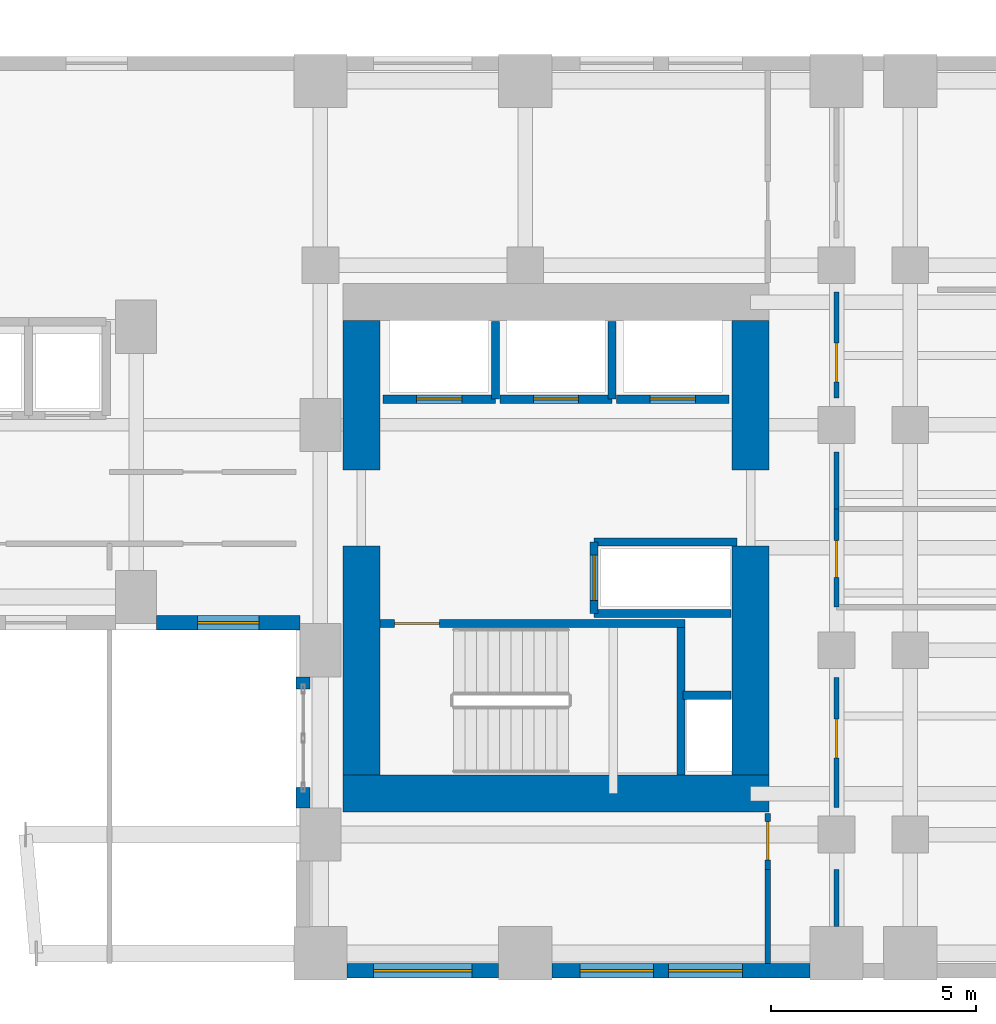
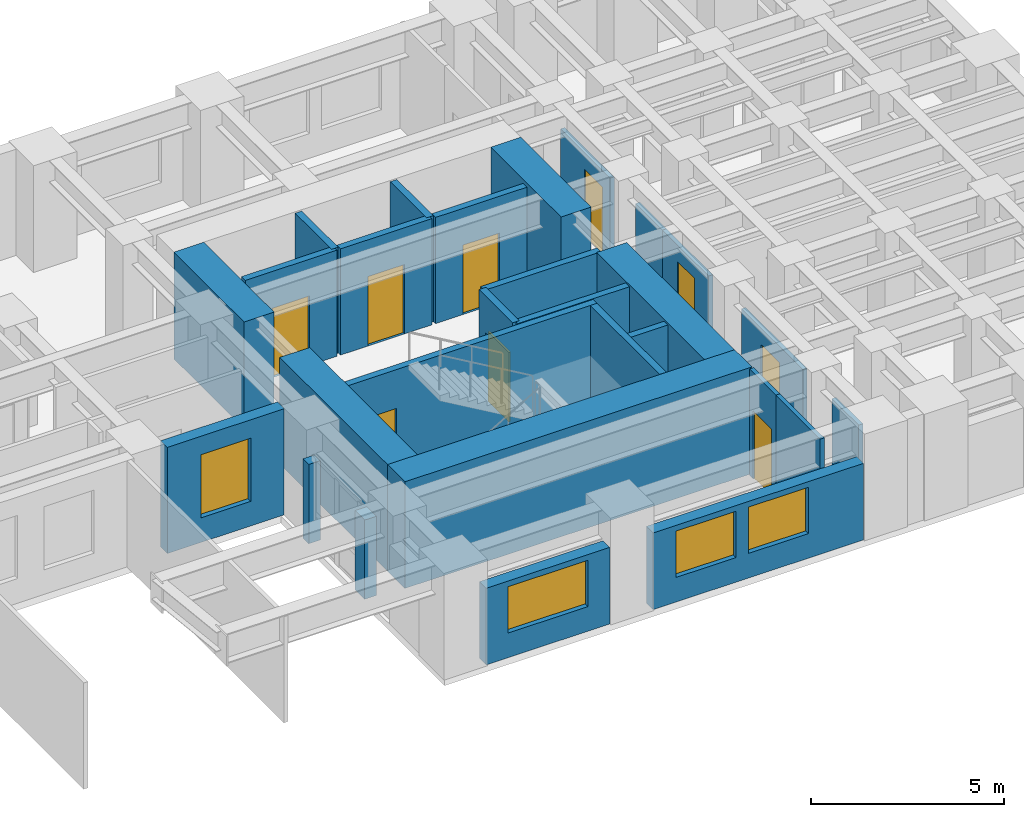
# One storey, part 10 of 14: 28 walls, 9 doors, 4 windows, 13 openings.
"""IFC4 building model written with IfcOpenShell, lengths in metres."""

from ifc_helpers import new_model, si_unit, direction, frame, frame_2d, origin, place, context, subcontext, project, spatial, rectangle, extrude, source, transform, mapped, material, layer, layer_set, type_object, element, fill, save


model = new_model("IFC4")

# Units and contexts
model_context = context("Model", 3, precision=1e-05, world=origin(), true_north=direction((0.0, 1.0)))
body_context = subcontext(model_context, "Body", "Model", "MODEL_VIEW")
ifc_project = project(units=[si_unit("LENGTHUNIT", "METRE"), si_unit("AREAUNIT", "SQUARE_METRE"), si_unit("VOLUMEUNIT", "CUBIC_METRE"), si_unit("PLANEANGLEUNIT", "RADIAN"), si_unit("MASSUNIT", "GRAM", prefix="KILO")], contexts=[model_context])

# Site, building, storey
site_placement = place(None, origin())
site = spatial("IfcSite", under=ifc_project, at=site_placement, CompositionType="ELEMENT")
building_placement = place(site_placement, origin())
building = spatial("IfcBuilding", under=site, at=building_placement, Name="Kharzan Plaza Tower", CompositionType="ELEMENT")
storey_placement = place(building_placement, frame((0.0, 0.0, 29.699951171875)))
storey = spatial("IfcBuildingStorey", under=building, at=storey_placement, Name="L07", CompositionType="ELEMENT", Elevation=29.699951171875)

# Wall, opening, window
ifc_material_1 = material(Name="Concrete C40/50", Category="concrete")
ifc_layer_1 = layer(ifc_material_1, 0.35009765625)
ifc_layer_set_1 = layer_set([ifc_layer_1], Name="Concrete C40/50")
wall_type_1 = type_object("IfcWallType", Name="WL-EXT-MAS-Z1", PredefinedType="SOLIDWALL", material=ifc_layer_set_1)
wall_1_placement = place(storey_placement, frame((30.998046875, 8.675048828125, 0.0), z_axis=(0.0, 0.0, 1.0), x_axis=(1.0, 0.0, 0.0)))
wall_1 = element("IfcWall", 1, at=wall_1_placement, inside=storey, type_object=wall_type_1, Name="L07 Masonry-Frame Exterior Wall 30", PredefinedType="SOLIDWALL", context=body_context, shape_type="SweptSolid", body=[
    extrude(rectangle(XDim=3.50390625, YDim=0.35009765625, at=frame_2d((1.751953125, 0.0))), origin(), (0.0, 0.0, 1.0), 3.364990234375),
])
opening_1_placement = place(wall_1_placement, frame((1.001953125, 0.0, 0.780029296875)))
opening_1 = element("IfcOpeningElement", 2, at=opening_1_placement, cuts=wall_1, Name="Opening W5", PredefinedType="OPENING", context=body_context, shape_type="SweptSolid", body=[
    extrude(rectangle(XDim=1.5, YDim=2.0, at=frame_2d((0.75, 1.0))), frame((0.0, 0.18505859375, 0.0), z_axis=(0.0, -1.0, 0.0), x_axis=(1.0, 0.0, 0.0)), (0.0, 0.0, 1.0), 0.3701171875),
])
ifc_material_2 = material(Name="Low-E Double Glazing", Category="glass")
window_type_1 = type_object("IfcWindowType", Name="WN-SLT-1500x2000", PartitioningType="SINGLE_PANEL", PredefinedType="WINDOW", material=ifc_material_2)
shared_shape_1 = source(origin(), body_context, "Body", "SweptSolid", [
    extrude(rectangle(XDim=1.5, YDim=2.0, at=frame_2d((0.75, 1.0))), frame((0.0, 0.030029296875, 0.0), z_axis=(0.0, -1.0, 0.0), x_axis=(1.0, 0.0, 0.0)), (0.0, 0.0, 1.0), 0.06005859375),
])
window_1_placement = place(opening_1_placement, origin())
window_1 = element("IfcWindow", 3, at=window_1_placement, inside=storey, type_object=window_type_1, Name="L07 Recessed Solar-Control Window 30-1", OverallHeight=2.0, OverallWidth=1.5, PartitioningType="SINGLE_PANEL", PredefinedType="WINDOW", context=body_context, shape_type="MappedRepresentation", body=[
    mapped(shared_shape_1, transform((0.0, 0.0, 0.0), x_axis=(1.0, 0.0, 0.0), y_axis=(0.0, 1.0, 0.0), z_axis=(0.0, 0.0, 1.0))),
])
fill(opening_1, window_1)

wall_2_placement = place(storey_placement, frame((35.64794921875, 0.175048828125, 0.0), z_axis=(0.0, 0.0, 1.0), x_axis=(1.0, 0.0, 0.0)))
wall_2 = element("IfcWall", 4, at=wall_2_placement, inside=storey, type_object=wall_type_1, Name="L07 Masonry-Frame Exterior Wall 34", PredefinedType="SOLIDWALL", context=body_context, shape_type="SweptSolid", body=[
    extrude(rectangle(XDim=3.7041015625, YDim=0.35009765625, at=frame_2d((1.85205078125, 0.0))), origin(), (0.0, 0.0, 1.0), 2.427978515625),
])
opening_2_placement = place(wall_2_placement, frame((0.652099609375, 0.0, 0.780029296875)))
opening_2 = element("IfcOpeningElement", 5, at=opening_2_placement, cuts=wall_2, Name="Opening W2", PredefinedType="OPENING", context=body_context, shape_type="SweptSolid", body=[
    extrude(rectangle(XDim=2.39990234375, YDim=1.468017578125, at=frame_2d((1.199951171875, 0.73388671875))), frame((0.0, 0.18505859375, 0.0), z_axis=(0.0, -1.0, 0.0), x_axis=(1.0, 0.0, 0.0)), (0.0, 0.0, 1.0), 0.3701171875),
])
window_type_2 = type_object("IfcWindowType", Name="WN-REC-2400x2100", PartitioningType="SINGLE_PANEL", PredefinedType="WINDOW", material=ifc_material_2)
shared_shape_2 = source(origin(), body_context, "Body", "SweptSolid", [
    extrude(rectangle(XDim=2.39990234375, YDim=1.468017578125, at=frame_2d((1.199951171875, 0.73388671875))), frame((0.0, 0.030029296875, 0.0), z_axis=(0.0, -1.0, 0.0), x_axis=(1.0, 0.0, 0.0)), (0.0, 0.0, 1.0), 0.06005859375),
])
window_2_placement = place(opening_2_placement, origin())
window_2 = element("IfcWindow", 6, at=window_2_placement, inside=storey, type_object=window_type_2, Name="L07 Wide Recessed Solar-Control Window 34-1", OverallHeight=1.468017578125, OverallWidth=2.39990234375, PartitioningType="SINGLE_PANEL", PredefinedType="WINDOW", context=body_context, shape_type="MappedRepresentation", body=[
    mapped(shared_shape_2, transform((0.0, 0.0, 0.0), x_axis=(1.0, 0.0, 0.0), y_axis=(0.0, 1.0, 0.0), z_axis=(0.0, 0.0, 1.0))),
])
fill(opening_2, window_2)

# Wall, openings, windows
wall_3_placement = place(storey_placement, frame((40.64794921875, 0.175048828125, 0.0), z_axis=(0.0, 0.0, 1.0), x_axis=(1.0, 0.0, 0.0)))
wall_3 = element("IfcWall", 7, at=wall_3_placement, inside=storey, type_object=wall_type_1, Name="L07 Masonry-Frame Exterior Wall 35", PredefinedType="SOLIDWALL", context=body_context, shape_type="SweptSolid", body=[
    extrude(rectangle(XDim=6.303955078125, YDim=0.35009765625, at=frame_2d((3.15185546875, 0.0))), origin(), (0.0, 0.0, 1.0), 2.427978515625),
])
opening_3_placement = place(wall_3_placement, frame((0.687255859375, 0.0, 0.780029296875)))
opening_3 = element("IfcOpeningElement", 8, at=opening_3_placement, cuts=wall_3, Name="Opening W1", PredefinedType="OPENING", context=body_context, shape_type="SweptSolid", body=[
    extrude(rectangle(XDim=1.800048828125, YDim=1.468017578125, at=frame_2d((0.89990234375, 0.73388671875))), frame((0.0, 0.18505859375, 0.0), z_axis=(0.0, -1.0, 0.0), x_axis=(1.0, 0.0, 0.0)), (0.0, 0.0, 1.0), 0.3701171875),
])
opening_4_placement = place(wall_3_placement, frame((2.854736328125, 0.0, 0.780029296875)))
opening_4 = element("IfcOpeningElement", 9, at=opening_4_placement, cuts=wall_3, Name="Opening W1", PredefinedType="OPENING", context=body_context, shape_type="SweptSolid", body=[
    extrude(rectangle(XDim=1.800048828125, YDim=1.468017578125, at=frame_2d((0.89990234375, 0.73388671875))), frame((0.0, 0.18505859375, 0.0), z_axis=(0.0, -1.0, 0.0), x_axis=(1.0, 0.0, 0.0)), (0.0, 0.0, 1.0), 0.3701171875),
])
window_type_3 = type_object("IfcWindowType", Name="WN-REC-1800x2100", PartitioningType="SINGLE_PANEL", PredefinedType="WINDOW", material=ifc_material_2)
shared_shape_3 = source(origin(), body_context, "Body", "SweptSolid", [
    extrude(rectangle(XDim=1.800048828125, YDim=1.468017578125, at=frame_2d((0.89990234375, 0.73388671875))), frame((0.0, 0.030029296875, 0.0), z_axis=(0.0, -1.0, 0.0), x_axis=(1.0, 0.0, 0.0)), (0.0, 0.0, 1.0), 0.06005859375),
])
window_3_placement = place(opening_3_placement, origin())
window_3 = element("IfcWindow", 10, at=window_3_placement, inside=storey, type_object=window_type_3, Name="L07 Recessed Solar-Control Window 35-1", OverallHeight=1.468017578125, OverallWidth=1.800048828125, PartitioningType="SINGLE_PANEL", PredefinedType="WINDOW", context=body_context, shape_type="MappedRepresentation", body=[
    mapped(shared_shape_3, transform((0.0, 0.0, 0.0), x_axis=(1.0, 0.0, 0.0), y_axis=(0.0, 1.0, 0.0), z_axis=(0.0, 0.0, 1.0))),
])
fill(opening_3, window_3)
window_4_placement = place(opening_4_placement, origin())
window_4 = element("IfcWindow", 11, at=window_4_placement, inside=storey, type_object=window_type_3, Name="L07 Recessed Solar-Control Window 35-2", OverallHeight=1.468017578125, OverallWidth=1.800048828125, PartitioningType="SINGLE_PANEL", PredefinedType="WINDOW", context=body_context, shape_type="MappedRepresentation", body=[
    mapped(shared_shape_3, transform((0.0, 0.0, 0.0), x_axis=(1.0, 0.0, 0.0), y_axis=(0.0, 1.0, 0.0), z_axis=(0.0, 0.0, 1.0))),
])
fill(opening_4, window_4)

# Wall, opening, door
ifc_material_3 = material(Name="Fire-Rated Gypsum Board Partition", Category="gypsum")
ifc_layer_2 = layer(ifc_material_3, 0.125)
ifc_layer_set_2 = layer_set([ifc_layer_2], Name="Fire-Rated Gypsum Board Partition")
wall_type_2 = type_object("IfcWallType", Name="WL-INT-PART-125", PredefinedType="PARTITIONING", material=ifc_layer_set_2)
wall_4_placement = place(storey_placement, frame((47.60009765625, 4.159912109375, 0.0), z_axis=(0.0, 0.0, 1.0), x_axis=(0.0, 1.0, 0.0)))
wall_4 = element("IfcWall", 12, at=wall_4_placement, inside=storey, type_object=wall_type_2, Name="L07 Interior Partition SH-B1W0", PredefinedType="PARTITIONING", context=body_context, shape_type="SweptSolid", body=[
    extrude(rectangle(XDim=3.18017578125, YDim=0.125, at=frame_2d((1.590087890625, 0.0))), origin(), (0.0, 0.0, 1.0), 2.670166015625),
])
opening_5_placement = place(wall_4_placement, frame((1.215087890625, 0.0, 0.0)))
opening_5 = element("IfcOpeningElement", 13, at=opening_5_placement, cuts=wall_4, Name="Opening OD1", PredefinedType="OPENING", context=body_context, shape_type="SweptSolid", body=[
    extrude(rectangle(XDim=0.949951171875, YDim=2.14990234375, at=frame_2d((0.47509765625, 1.074951171875))), frame((0.0, 0.072509765625, 0.0), z_axis=(0.0, -1.0, 0.0), x_axis=(1.0, 0.0, 0.0)), (0.0, 0.0, 1.0), 0.14501953125),
])
ifc_material_4 = material(Name="Acoustic Solid-Core Stained Oak", Category="timber")
door_type_1 = type_object("IfcDoorType", Name="DR-OFF-SINGLE", OperationType="NOTDEFINED", PredefinedType="DOOR", material=ifc_material_4)
shared_shape_4 = source(origin(), body_context, "Body", "SweptSolid", [
    extrude(rectangle(XDim=0.949951171875, YDim=2.14990234375, at=frame_2d((0.47509765625, 1.074951171875))), frame((0.0, 0.02490234375, 0.0), z_axis=(0.0, -1.0, 0.0), x_axis=(1.0, 0.0, 0.0)), (0.0, 0.0, 1.0), 0.050048828125),
])
door_1_placement = place(opening_5_placement, origin())
door_1 = element("IfcDoor", 14, at=door_1_placement, inside=storey, type_object=door_type_1, Name="L07 Wing B South Studio Door", OperationType="SINGLE_SWING_LEFT", OverallHeight=2.14990234375, OverallWidth=0.949951171875, PredefinedType="DOOR", context=body_context, shape_type="MappedRepresentation", body=[
    mapped(shared_shape_4, transform((0.0, 0.0, 0.0), x_axis=(1.0, 0.0, 0.0), y_axis=(0.0, 1.0, 0.0), z_axis=(0.0, 0.0, 1.0))),
])
fill(opening_5, door_1)

wall_5_placement = place(storey_placement, frame((47.60009765625, 14.159912109375, 0.0), z_axis=(0.0, 0.0, 1.0), x_axis=(0.0, 1.0, 0.0)))
wall_5 = element("IfcWall", 15, at=wall_5_placement, inside=storey, type_object=wall_type_2, Name="L07 Interior Partition SH-B1W1-S2", PredefinedType="PARTITIONING", context=body_context, shape_type="SweptSolid", body=[
    extrude(rectangle(XDim=2.580078125, YDim=0.125, at=frame_2d((1.2900390625, 0.0))), origin(), (0.0, 0.0, 1.0), 2.670166015625),
])
opening_6_placement = place(wall_5_placement, frame((0.3916015625, 0.0, 0.0)))
opening_6 = element("IfcOpeningElement", 16, at=opening_6_placement, cuts=wall_5, Name="Opening OD1", PredefinedType="OPENING", context=body_context, shape_type="SweptSolid", body=[
    extrude(rectangle(XDim=0.949951171875, YDim=2.14990234375, at=frame_2d((0.47509765625, 1.074951171875))), frame((0.0, 0.072509765625, 0.0), z_axis=(0.0, -1.0, 0.0), x_axis=(1.0, 0.0, 0.0)), (0.0, 0.0, 1.0), 0.14501953125),
])
door_2_placement = place(opening_6_placement, origin())
door_2 = element("IfcDoor", 17, at=door_2_placement, inside=storey, type_object=door_type_1, Name="L07 Wing B Mid Office Door", OperationType="SINGLE_SWING_RIGHT", OverallHeight=2.14990234375, OverallWidth=0.949951171875, PredefinedType="DOOR", context=body_context, shape_type="MappedRepresentation", body=[
    mapped(shared_shape_4, transform((0.0, 0.0, 0.0), x_axis=(1.0, 0.0, 0.0), y_axis=(0.0, 1.0, 0.0), z_axis=(0.0, 0.0, 1.0))),
])
fill(opening_6, door_2)

wall_6_placement = place(storey_placement, frame((47.60009765625, 9.050048828125, 0.0), z_axis=(0.0, 0.0, 1.0), x_axis=(0.0, 1.0, 0.0)))
wall_6 = element("IfcWall", 18, at=wall_6_placement, inside=storey, type_object=wall_type_2, Name="L07 Interior Partition SH-B1WC", PredefinedType="PARTITIONING", context=body_context, shape_type="SweptSolid", body=[
    extrude(rectangle(XDim=2.39990234375, YDim=0.125, at=frame_2d((1.199951171875, 0.0))), origin(), (0.0, 0.0, 1.0), 2.670166015625),
])
opening_7_placement = place(wall_6_placement, frame((0.72509765625, 0.0, 0.0)))
opening_7 = element("IfcOpeningElement", 19, at=opening_7_placement, cuts=wall_6, Name="Opening WD1", PredefinedType="OPENING", context=body_context, shape_type="SweptSolid", body=[
    extrude(rectangle(XDim=0.89990234375, YDim=2.14990234375, at=frame_2d((0.449951171875, 1.074951171875))), frame((0.0, 0.072509765625, 0.0), z_axis=(0.0, -1.0, 0.0), x_axis=(1.0, 0.0, 0.0)), (0.0, 0.0, 1.0), 0.14501953125),
])
ifc_material_5 = material(Name="Moisture-Resistant Fire-Rated Laminate", Category="timber")
door_type_2 = type_object("IfcDoorType", Name="DR-WC-900", OperationType="NOTDEFINED", PredefinedType="DOOR", material=ifc_material_5)
shared_shape_5 = source(origin(), body_context, "Body", "SweptSolid", [
    extrude(rectangle(XDim=0.89990234375, YDim=2.14990234375, at=frame_2d((0.449951171875, 1.074951171875))), frame((0.0, 0.02490234375, 0.0), z_axis=(0.0, -1.0, 0.0), x_axis=(1.0, 0.0, 0.0)), (0.0, 0.0, 1.0), 0.050048828125),
])
door_3_placement = place(opening_7_placement, origin())
door_3 = element("IfcDoor", 20, at=door_3_placement, inside=storey, type_object=door_type_2, Name="L07 Wing B Washroom Door", OperationType="SINGLE_SWING_LEFT", OverallHeight=2.14990234375, OverallWidth=0.89990234375, PredefinedType="DOOR", context=body_context, shape_type="MappedRepresentation", body=[
    mapped(shared_shape_5, transform((0.0, 0.0, 0.0), x_axis=(1.0, 0.0, 0.0), y_axis=(0.0, 1.0, 0.0), z_axis=(0.0, 0.0, 1.0))),
])
fill(opening_7, door_3)

wall_7_placement = place(storey_placement, frame((45.919921875, 2.64990234375, 0.0), z_axis=(0.0, 0.0, 1.0), x_axis=(0.0, 1.0, 0.0)))
wall_7 = element("IfcWall", 21, at=wall_7_placement, inside=storey, type_object=wall_type_2, Name="L07 Interior Partition SH-RBSE", PredefinedType="PARTITIONING", context=body_context, shape_type="SweptSolid", body=[
    extrude(rectangle(XDim=1.3701171875, YDim=0.125, at=frame_2d((0.68505859375, 0.0))), origin(), (0.0, 0.0, 1.0), 3.364990234375),
])
opening_8_placement = place(wall_7_placement, frame((0.22509765625, 0.0, 0.0)))
opening_8 = element("IfcOpeningElement", 22, at=opening_8_placement, cuts=wall_7, Name="Opening OD1", PredefinedType="OPENING", context=body_context, shape_type="SweptSolid", body=[
    extrude(rectangle(XDim=0.949951171875, YDim=2.14990234375, at=frame_2d((0.47509765625, 1.074951171875))), frame((0.0, 0.072509765625, 0.0), z_axis=(0.0, -1.0, 0.0), x_axis=(1.0, 0.0, 0.0)), (0.0, 0.0, 1.0), 0.14501953125),
])
door_4_placement = place(opening_8_placement, origin())
door_4 = element("IfcDoor", 23, at=door_4_placement, inside=storey, type_object=door_type_1, Name="L07 South-East Corner Office Door", OperationType="SINGLE_SWING_RIGHT", OverallHeight=2.14990234375, OverallWidth=0.949951171875, PredefinedType="DOOR", context=body_context, shape_type="MappedRepresentation", body=[
    mapped(shared_shape_4, transform((0.0, 0.0, 0.0), x_axis=(1.0, 0.0, 0.0), y_axis=(0.0, 1.0, 0.0), z_axis=(0.0, 0.0, 1.0))),
])
fill(opening_8, door_4)

ifc_layer_3 = layer(ifc_material_1, 0.199951171875)
ifc_layer_set_3 = layer_set([ifc_layer_3], Name="Concrete C40/50")
wall_type_3 = type_object("IfcWallType", Name="WL-INT-SHAFT-200", PredefinedType="PARTITIONING", material=ifc_layer_set_3)
wall_8_placement = place(storey_placement, frame((36.530029296875, 14.1298828125, 0.0), z_axis=(0.0, 0.0, 1.0), x_axis=(1.0, 0.0, 0.0)))
wall_8 = element("IfcWall", 24, at=wall_8_placement, inside=storey, type_object=wall_type_3, Name="L07 Interior Partition SHF-PL-L1-S", PredefinedType="PARTITIONING", context=body_context, shape_type="SweptSolid", body=[
    extrude(rectangle(XDim=2.739990234375, YDim=0.199951171875, at=frame_2d((1.3701171875, 0.0))), origin(), (0.0, 0.0, 1.0), 3.364990234375),
])
opening_9_placement = place(wall_8_placement, frame((0.820068359375, 0.0, 0.0)))
opening_9 = element("IfcOpeningElement", 25, at=opening_9_placement, cuts=wall_8, Name="Opening LD", PredefinedType="OPENING", context=body_context, shape_type="SweptSolid", body=[
    extrude(rectangle(XDim=1.10009765625, YDim=2.199951171875, at=frame_2d((0.550048828125, 1.10009765625))), frame((0.0, 0.10986328125, 0.0), z_axis=(0.0, -1.0, 0.0), x_axis=(1.0, 0.0, 0.0)), (0.0, 0.0, 1.0), 0.219970703125),
])
ifc_material_6 = material(Name="Brushed Stainless Steel", Category="steel")
door_type_3 = type_object("IfcDoorType", Name="DR-LIFT-SLIDE", OperationType="SLIDING_TO_LEFT", PredefinedType="DOOR", material=ifc_material_6)
shared_shape_6 = source(origin(), body_context, "Body", "SweptSolid", [
    extrude(rectangle(XDim=1.10009765625, YDim=2.199951171875, at=frame_2d((0.550048828125, 1.10009765625))), frame((0.0, 0.02490234375, 0.0), z_axis=(0.0, -1.0, 0.0), x_axis=(1.0, 0.0, 0.0)), (0.0, 0.0, 1.0), 0.050048828125),
])
door_5_placement = place(opening_9_placement, origin())
door_5 = element("IfcDoor", 26, at=door_5_placement, inside=storey, type_object=door_type_3, Name="L07 Low-Rise Passenger Lift PL-L1 Sliding Landing Door", OperationType="SLIDING_TO_LEFT", OverallHeight=2.199951171875, OverallWidth=1.10009765625, PredefinedType="DOOR", context=body_context, shape_type="MappedRepresentation", body=[
    mapped(shared_shape_6, transform((0.0, 0.0, 0.0), x_axis=(1.0, 0.0, 0.0), y_axis=(0.0, 1.0, 0.0), z_axis=(0.0, 0.0, 1.0))),
])
fill(opening_9, door_5)

wall_9_placement = place(storey_placement, frame((39.3798828125, 14.1298828125, 0.0), z_axis=(0.0, 0.0, 1.0), x_axis=(1.0, 0.0, 0.0)))
wall_9 = element("IfcWall", 27, at=wall_9_placement, inside=storey, type_object=wall_type_3, Name="L07 Interior Partition SHF-PL-L2-S", PredefinedType="PARTITIONING", context=body_context, shape_type="SweptSolid", body=[
    extrude(rectangle(XDim=2.740234375, YDim=0.199951171875, at=frame_2d((1.3701171875, 0.0))), origin(), (0.0, 0.0, 1.0), 3.364990234375),
])
opening_10_placement = place(wall_9_placement, frame((0.820068359375, 0.0, 0.0)))
opening_10 = element("IfcOpeningElement", 28, at=opening_10_placement, cuts=wall_9, Name="Opening LD", PredefinedType="OPENING", context=body_context, shape_type="SweptSolid", body=[
    extrude(rectangle(XDim=1.10009765625, YDim=2.199951171875, at=frame_2d((0.550048828125, 1.10009765625))), frame((0.0, 0.10986328125, 0.0), z_axis=(0.0, -1.0, 0.0), x_axis=(1.0, 0.0, 0.0)), (0.0, 0.0, 1.0), 0.219970703125),
])
door_6_placement = place(opening_10_placement, origin())
door_6 = element("IfcDoor", 29, at=door_6_placement, inside=storey, type_object=door_type_3, Name="L07 Low-Rise Passenger Lift PL-L2 Sliding Landing Door", OperationType="SLIDING_TO_LEFT", OverallHeight=2.199951171875, OverallWidth=1.10009765625, PredefinedType="DOOR", context=body_context, shape_type="MappedRepresentation", body=[
    mapped(shared_shape_6, transform((0.0, 0.0, 0.0), x_axis=(1.0, 0.0, 0.0), y_axis=(0.0, 1.0, 0.0), z_axis=(0.0, 0.0, 1.0))),
])
fill(opening_10, door_6)

wall_10_placement = place(storey_placement, frame((42.22998046875, 14.1298828125, 0.0), z_axis=(0.0, 0.0, 1.0), x_axis=(1.0, 0.0, 0.0)))
wall_10 = element("IfcWall", 30, at=wall_10_placement, inside=storey, type_object=wall_type_3, Name="L07 Interior Partition SHF-PL-L3-S", PredefinedType="PARTITIONING", context=body_context, shape_type="SweptSolid", body=[
    extrude(rectangle(XDim=2.739990234375, YDim=0.199951171875, at=frame_2d((1.3701171875, 0.0))), origin(), (0.0, 0.0, 1.0), 3.364990234375),
])
opening_11_placement = place(wall_10_placement, frame((0.820068359375, 0.0, 0.0)))
opening_11 = element("IfcOpeningElement", 31, at=opening_11_placement, cuts=wall_10, Name="Opening LD", PredefinedType="OPENING", context=body_context, shape_type="SweptSolid", body=[
    extrude(rectangle(XDim=1.10009765625, YDim=2.199951171875, at=frame_2d((0.550048828125, 1.10009765625))), frame((0.0, 0.10986328125, 0.0), z_axis=(0.0, -1.0, 0.0), x_axis=(1.0, 0.0, 0.0)), (0.0, 0.0, 1.0), 0.219970703125),
])
door_7_placement = place(opening_11_placement, origin())
door_7 = element("IfcDoor", 32, at=door_7_placement, inside=storey, type_object=door_type_3, Name="L07 Low-Rise Passenger Lift PL-L3 Sliding Landing Door", OperationType="SLIDING_TO_LEFT", OverallHeight=2.199951171875, OverallWidth=1.10009765625, PredefinedType="DOOR", context=body_context, shape_type="MappedRepresentation", body=[
    mapped(shared_shape_6, transform((0.0, 0.0, 0.0), x_axis=(1.0, 0.0, 0.0), y_axis=(0.0, 1.0, 0.0), z_axis=(0.0, 0.0, 1.0))),
])
fill(opening_11, door_7)

wall_11_placement = place(storey_placement, frame((41.679931640625, 8.89990234375, 0.0), z_axis=(0.0, 0.0, 1.0), x_axis=(0.0, 1.0, 0.0)))
wall_11 = element("IfcWall", 33, at=wall_11_placement, inside=storey, type_object=wall_type_3, Name="L07 Interior Partition SHF-SVL-2-W", PredefinedType="PARTITIONING", context=body_context, shape_type="SweptSolid", body=[
    extrude(rectangle(XDim=1.739990234375, YDim=0.199951171875, at=frame_2d((0.8701171875, 0.0))), origin(), (0.0, 0.0, 1.0), 3.364990234375),
])
opening_12_placement = place(wall_11_placement, frame((0.320068359375, 0.0, 0.0)))
opening_12 = element("IfcOpeningElement", 34, at=opening_12_placement, cuts=wall_11, Name="Opening LD", PredefinedType="OPENING", context=body_context, shape_type="SweptSolid", body=[
    extrude(rectangle(XDim=1.10009765625, YDim=2.199951171875, at=frame_2d((0.550048828125, 1.10009765625))), frame((0.0, 0.10986328125, 0.0), z_axis=(0.0, -1.0, 0.0), x_axis=(1.0, 0.0, 0.0)), (0.0, 0.0, 1.0), 0.219970703125),
])
door_8_placement = place(opening_12_placement, origin())
door_8 = element("IfcDoor", 35, at=door_8_placement, inside=storey, type_object=door_type_3, Name="L07 Service Lift SVL-2 Sliding Landing Door", OperationType="SLIDING_TO_LEFT", OverallHeight=2.199951171875, OverallWidth=1.10009765625, PredefinedType="DOOR", context=body_context, shape_type="MappedRepresentation", body=[
    mapped(shared_shape_6, transform((0.0, 0.0, 0.0), x_axis=(1.0, 0.0, 0.0), y_axis=(0.0, 1.0, 0.0), z_axis=(0.0, 0.0, 1.0))),
])
fill(opening_12, door_8)

ifc_material_7 = material(Name="Concrete C50/60", Category="concrete")
ifc_layer_4 = layer(ifc_material_7, 0.199951171875)
ifc_layer_set_4 = layer_set([ifc_layer_4], Name="Concrete C50/60")
wall_type_4 = type_object("IfcWallType", Name="WL-SHAFT-RC200", PredefinedType="SHEAR", material=ifc_layer_set_4)
wall_12_placement = place(storey_placement, frame((36.451904296875, 8.655029296875, 0.0), z_axis=(0.0, 0.0, 1.0), x_axis=(1.0, 0.0, 0.0)))
wall_12 = element("IfcWall", 36, at=wall_12_placement, inside=storey, type_object=wall_type_4, Name="L07 Stair ST-3 North RC Shaft Wall", PredefinedType="SHEAR", context=body_context, shape_type="SweptSolid", body=[
    extrude(rectangle(XDim=7.453125, YDim=0.199951171875, at=frame_2d((3.7265625, 0.0))), origin(), (0.0, 0.0, 1.0), 3.380126953125),
])
opening_13_placement = place(wall_12_placement, frame((0.35009765625, 0.0, 0.0)))
opening_13 = element("IfcOpeningElement", 37, at=opening_13_placement, cuts=wall_12, Name="Opening SD1", PredefinedType="OPENING", context=body_context, shape_type="SweptSolid", body=[
    extrude(rectangle(XDim=1.10009765625, YDim=2.14990234375, at=frame_2d((0.550048828125, 1.074951171875))), frame((0.0, 0.10986328125, 0.0), z_axis=(0.0, -1.0, 0.0), x_axis=(1.0, 0.0, 0.0)), (0.0, 0.0, 1.0), 0.219970703125),
])
ifc_material_8 = material(Name="Fire-Rated Hollow Galvanized Steel", Category="steel")
door_type_4 = type_object("IfcDoorType", Name="DR-STAIR-FD120", OperationType="NOTDEFINED", PredefinedType="DOOR", material=ifc_material_8)
shared_shape_7 = source(origin(), body_context, "Body", "SweptSolid", [
    extrude(rectangle(XDim=1.10009765625, YDim=2.14990234375, at=frame_2d((0.550048828125, 1.074951171875))), frame((0.0, 0.02490234375, 0.0), z_axis=(0.0, -1.0, 0.0), x_axis=(1.0, 0.0, 0.0)), (0.0, 0.0, 1.0), 0.050048828125),
])
door_9_placement = place(opening_13_placement, origin())
door_9 = element("IfcDoor", 38, at=door_9_placement, inside=storey, type_object=door_type_4, Name="L07 Stair ST-3 Fire Exit Door", OperationType="SINGLE_SWING_RIGHT", OverallHeight=2.14990234375, OverallWidth=1.10009765625, PredefinedType="DOOR", context=body_context, shape_type="MappedRepresentation", body=[
    mapped(shared_shape_7, transform((0.0, 0.0, 0.0), x_axis=(1.0, 0.0, 0.0), y_axis=(0.0, 1.0, 0.0), z_axis=(0.0, 0.0, 1.0))),
])
fill(opening_13, door_9)

# Walls
shared_shape_8 = source(origin(), body_context, "Body", "SweptSolid", [
    extrude(rectangle(XDim=2.2978515625, YDim=0.125, at=frame_2d((1.14892578125, 0.0))), origin(), (0.0, 0.0, 1.0), 3.364990234375),
])
wall_13_placement = place(storey_placement, frame((45.919921875, 0.35205078125, 0.0), z_axis=(0.0, 0.0, 1.0), x_axis=(0.0, 1.0, 0.0)))
element("IfcWall", 39, at=wall_13_placement, inside=storey, type_object=wall_type_2, Name="L07 Interior Partition SH-RBSE0", PredefinedType="PARTITIONING", context=body_context, shape_type="MappedRepresentation", body=[
    mapped(shared_shape_8, transform((0.0, 0.0, 0.0), x_axis=(1.0, 0.0, 0.0), y_axis=(0.0, 1.0, 0.0), z_axis=(0.0, 0.0, 1.0))),
])
shared_shape_9 = source(origin(), body_context, "Body", "SweptSolid", [
    extrude(rectangle(XDim=1.169921875, YDim=0.199951171875, at=frame_2d((0.5849609375, 0.0))), origin(), (0.0, 0.0, 1.0), 3.364990234375),
])
wall_14_placement = place(storey_placement, frame((43.85009765625, 6.89990234375, 0.0), z_axis=(0.0, 0.0, 1.0), x_axis=(1.0, 0.0, 0.0)))
element("IfcWall", 40, at=wall_14_placement, inside=storey, type_object=wall_type_3, Name="L07 Interior Partition CB-RSRB-N", PredefinedType="PARTITIONING", context=body_context, shape_type="MappedRepresentation", body=[
    mapped(shared_shape_9, transform((0.0, 0.0, 0.0), x_axis=(1.0, 0.0, 0.0), y_axis=(0.0, 1.0, 0.0), z_axis=(0.0, 0.0, 1.0))),
])
shared_shape_10 = source(origin(), body_context, "Body", "SweptSolid", [
    extrude(rectangle(XDim=1.89013671875, YDim=0.199951171875, at=frame_2d((0.945068359375, 0.0))), origin(), (0.0, 0.0, 1.0), 3.364990234375),
])
for number, where, z_axis, x_axis, name in (
    (41, (39.27001953125, 14.1298828125, 0.0), (0.0, 0.0, 1.0), (0.0, 1.0, 0.0), "L07 Interior Partition SHF-PL-L1-E"),
    (42, (42.1201171875, 14.1298828125, 0.0), (0.0, 0.0, 1.0), (0.0, 1.0, 0.0), "L07 Interior Partition SHF-PL-L2-E"),
):
    element("IfcWall", number, at=place(storey_placement, frame(where, z_axis=z_axis, x_axis=x_axis)), inside=storey, type_object=wall_type_3, Name=name, PredefinedType="PARTITIONING", context=body_context, shape_type="MappedRepresentation", body=[
        mapped(shared_shape_10, transform((0.0, 0.0, 0.0), x_axis=(1.0, 0.0, 0.0), y_axis=(0.0, 1.0, 0.0), z_axis=(0.0, 0.0, 1.0))),
    ])
shared_shape_11 = source(origin(), body_context, "Body", "SweptSolid", [
    extrude(rectangle(XDim=3.489990234375, YDim=0.199951171875, at=frame_2d((1.7451171875, 0.0))), origin(), (0.0, 0.0, 1.0), 3.364990234375),
])
wall_15_placement = place(storey_placement, frame((41.679931640625, 10.639892578125, 0.0), z_axis=(0.0, 0.0, 1.0), x_axis=(1.0, 0.0, 0.0)))
element("IfcWall", 43, at=wall_15_placement, inside=storey, type_object=wall_type_3, Name="L07 Interior Partition SHF-SVL-2-N", PredefinedType="PARTITIONING", context=body_context, shape_type="MappedRepresentation", body=[
    mapped(shared_shape_11, transform((0.0, 0.0, 0.0), x_axis=(1.0, 0.0, 0.0), y_axis=(0.0, 1.0, 0.0), z_axis=(0.0, 0.0, 1.0))),
])
shared_shape_12 = source(origin(), body_context, "Body", "SweptSolid", [
    extrude(rectangle(XDim=3.340087890625, YDim=0.199951171875, at=frame_2d((1.669921875, 0.0))), origin(), (0.0, 0.0, 1.0), 3.364990234375),
])
wall_16_placement = place(storey_placement, frame((41.679931640625, 8.89990234375, 0.0), z_axis=(0.0, 0.0, 1.0), x_axis=(1.0, 0.0, 0.0)))
element("IfcWall", 44, at=wall_16_placement, inside=storey, type_object=wall_type_3, Name="L07 Interior Partition SHF-SVL-2-S", PredefinedType="PARTITIONING", context=body_context, shape_type="MappedRepresentation", body=[
    mapped(shared_shape_12, transform((0.0, 0.0, 0.0), x_axis=(1.0, 0.0, 0.0), y_axis=(0.0, 1.0, 0.0), z_axis=(0.0, 0.0, 1.0))),
])
ifc_material_9 = material(Name="Concrete C60/75", Category="concrete")
ifc_layer_5 = layer(ifc_material_9, 0.89990234375)
ifc_layer_set_5 = layer_set([ifc_layer_5], Name="Concrete C60/75")
wall_type_5 = type_object("IfcWallType", Name="WL-CORE-900", PredefinedType="SHEAR", material=ifc_layer_set_5)
shared_shape_13 = source(origin(), body_context, "Body", "SweptSolid", [
    extrude(rectangle(XDim=5.60009765625, YDim=0.89990234375, at=frame_2d((2.800048828125, 0.0))), origin(), (0.0, 0.0, 1.0), 3.380126953125),
])
for number, where, z_axis, x_axis, name in (
    (45, (45.5, 4.949951171875, 0.0), (0.0, 0.0, 1.0), (0.0, 1.0, 0.0), "L07 CORE-B east shear pier 1"),
    (46, (36.0, 4.949951171875, 0.0), (0.0, 0.0, 1.0), (0.0, 1.0, 0.0), "L07 CORE-B west shear pier 1"),
):
    element("IfcWall", number, at=place(storey_placement, frame(where, z_axis=z_axis, x_axis=x_axis)), inside=storey, type_object=wall_type_5, Name=name, PredefinedType="SHEAR", context=body_context, shape_type="MappedRepresentation", body=[
        mapped(shared_shape_13, transform((0.0, 0.0, 0.0), x_axis=(1.0, 0.0, 0.0), y_axis=(0.0, 1.0, 0.0), z_axis=(0.0, 0.0, 1.0))),
    ])
shared_shape_14 = source(origin(), body_context, "Body", "SweptSolid", [
    extrude(rectangle(XDim=3.650146484375, YDim=0.89990234375, at=frame_2d((1.8251953125, 0.0))), origin(), (0.0, 0.0, 1.0), 3.380126953125),
])
for number, where, z_axis, x_axis, name in (
    (47, (45.5, 12.39990234375, 0.0), (0.0, 0.0, 1.0), (0.0, 1.0, 0.0), "L07 CORE-B east shear pier 2"),
    (48, (36.0, 12.39990234375, 0.0), (0.0, 0.0, 1.0), (0.0, 1.0, 0.0), "L07 CORE-B west shear pier 2"),
):
    element("IfcWall", number, at=place(storey_placement, frame(where, z_axis=z_axis, x_axis=x_axis)), inside=storey, type_object=wall_type_5, Name=name, PredefinedType="SHEAR", context=body_context, shape_type="MappedRepresentation", body=[
        mapped(shared_shape_14, transform((0.0, 0.0, 0.0), x_axis=(1.0, 0.0, 0.0), y_axis=(0.0, 1.0, 0.0), z_axis=(0.0, 0.0, 1.0))),
    ])
shared_shape_15 = source(origin(), body_context, "Body", "SweptSolid", [
    extrude(rectangle(XDim=10.39990234375, YDim=0.89990234375, at=frame_2d((5.199951171875, 0.0))), origin(), (0.0, 0.0, 1.0), 3.380126953125),
])
wall_17_placement = place(storey_placement, frame((35.550048828125, 4.5, 0.0), z_axis=(0.0, 0.0, 1.0), x_axis=(1.0, 0.0, 0.0)))
element("IfcWall", 49, at=wall_17_placement, inside=storey, type_object=wall_type_5, Name="L07 CORE-B south RC shear wall", PredefinedType="SHEAR", context=body_context, shape_type="MappedRepresentation", body=[
    mapped(shared_shape_15, transform((0.0, 0.0, 0.0), x_axis=(1.0, 0.0, 0.0), y_axis=(0.0, 1.0, 0.0), z_axis=(0.0, 0.0, 1.0))),
])
shared_shape_16 = source(origin(), body_context, "Body", "SweptSolid", [
    extrude(rectangle(XDim=0.302001953125, YDim=0.35009765625, at=frame_2d((0.15087890625, 0.0))), origin(), (0.0, 0.0, 1.0), 2.510009765625),
])
wall_18_placement = place(storey_placement, frame((34.574951171875, 7.35205078125, 0.0), z_axis=(0.0, 0.0, 1.0), x_axis=(0.0, -1.0, 0.0)))
element("IfcWall", 50, at=wall_18_placement, inside=storey, type_object=wall_type_1, Name="L07 Masonry-Frame Exterior Wall 31", PredefinedType="SOLIDWALL", context=body_context, shape_type="MappedRepresentation", body=[
    mapped(shared_shape_16, transform((0.0, 0.0, 0.0), x_axis=(1.0, 0.0, 0.0), y_axis=(0.0, 1.0, 0.0), z_axis=(0.0, 0.0, 1.0))),
])
shared_shape_17 = source(origin(), body_context, "Body", "SweptSolid", [
    extrude(rectangle(XDim=0.501953125, YDim=0.35009765625, at=frame_2d((0.2509765625, 0.0))), origin(), (0.0, 0.0, 1.0), 2.510009765625),
])
wall_19_placement = place(storey_placement, frame((34.574951171875, 4.64990234375, 0.0), z_axis=(0.0, 0.0, 1.0), x_axis=(0.0, -1.0, 0.0)))
element("IfcWall", 51, at=wall_19_placement, inside=storey, type_object=wall_type_1, Name="L07 Masonry-Frame Exterior Wall 32", PredefinedType="SOLIDWALL", context=body_context, shape_type="MappedRepresentation", body=[
    mapped(shared_shape_17, transform((0.0, 0.0, 0.0), x_axis=(1.0, 0.0, 0.0), y_axis=(0.0, 1.0, 0.0), z_axis=(0.0, 0.0, 1.0))),
])
shared_shape_18 = source(origin(), body_context, "Body", "SweptSolid", [
    extrude(rectangle(XDim=1.389892578125, YDim=0.125, at=frame_2d((0.69482421875, 0.0))), origin(), (0.0, 0.0, 1.0), 2.670166015625),
])
wall_20_placement = place(storey_placement, frame((47.60009765625, 1.260009765625, 0.0), z_axis=(0.0, 0.0, 1.0), x_axis=(0.0, 1.0, 0.0)))
element("IfcWall", 52, at=wall_20_placement, inside=storey, type_object=wall_type_2, Name="L07 Interior Partition SH-B1W0S", PredefinedType="PARTITIONING", context=body_context, shape_type="MappedRepresentation", body=[
    mapped(shared_shape_18, transform((0.0, 0.0, 0.0), x_axis=(1.0, 0.0, 0.0), y_axis=(0.0, 1.0, 0.0), z_axis=(0.0, 0.0, 1.0))),
])
shared_shape_19 = source(origin(), body_context, "Body", "SweptSolid", [
    extrude(rectangle(XDim=1.39013671875, YDim=0.125, at=frame_2d((0.695068359375, 0.0))), origin(), (0.0, 0.0, 1.0), 2.670166015625),
])
wall_21_placement = place(storey_placement, frame((47.60009765625, 11.449951171875, 0.0), z_axis=(0.0, 0.0, 1.0), x_axis=(0.0, 1.0, 0.0)))
element("IfcWall", 53, at=wall_21_placement, inside=storey, type_object=wall_type_2, Name="L07 Interior Partition SH-B1W1-S1", PredefinedType="PARTITIONING", context=body_context, shape_type="MappedRepresentation", body=[
    mapped(shared_shape_19, transform((0.0, 0.0, 0.0), x_axis=(1.0, 0.0, 0.0), y_axis=(0.0, 1.0, 0.0), z_axis=(0.0, 0.0, 1.0))),
])
shared_shape_20 = source(origin(), body_context, "Body", "SweptSolid", [
    extrude(rectangle(XDim=3.60302734375, YDim=0.199951171875, at=frame_2d((1.801513671875, 0.0))), origin(), (0.0, 0.0, 1.0), 3.380126953125),
])
wall_22_placement = place(storey_placement, frame((43.804931640625, 4.951904296875, 0.0), z_axis=(0.0, 0.0, 1.0), x_axis=(0.0, 1.0, 0.0)))
element("IfcWall", 54, at=wall_22_placement, inside=storey, type_object=wall_type_4, Name="L07 Stair ST-3 East RC Shaft Wall", PredefinedType="SHEAR", context=body_context, shape_type="MappedRepresentation", body=[
    mapped(shared_shape_20, transform((0.0, 0.0, 0.0), x_axis=(1.0, 0.0, 0.0), y_axis=(0.0, 1.0, 0.0), z_axis=(0.0, 0.0, 1.0))),
])

save(model, "model.ifc")
